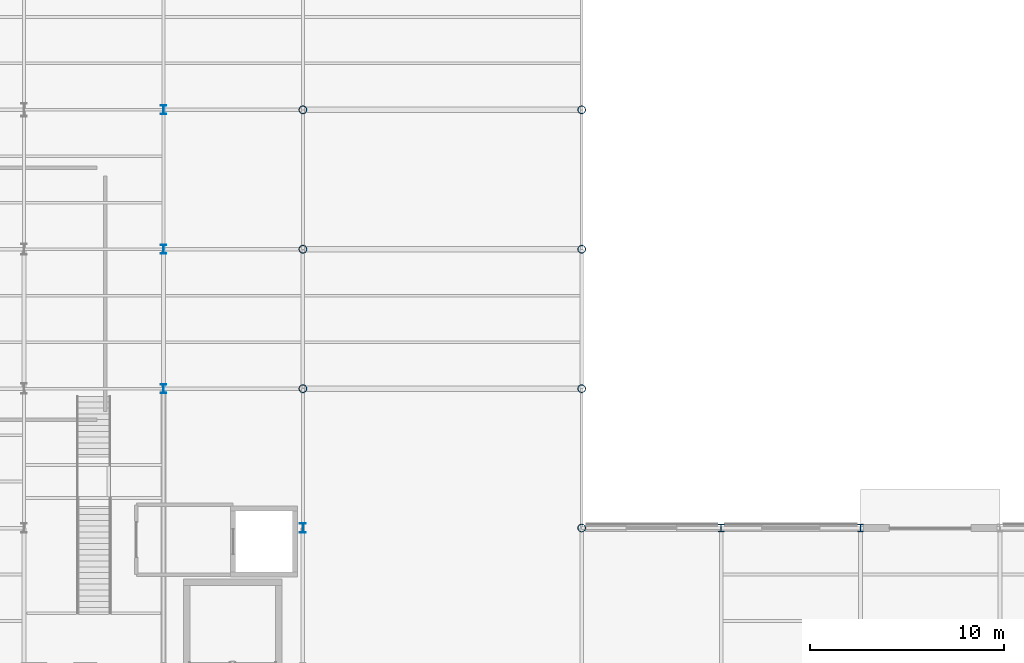
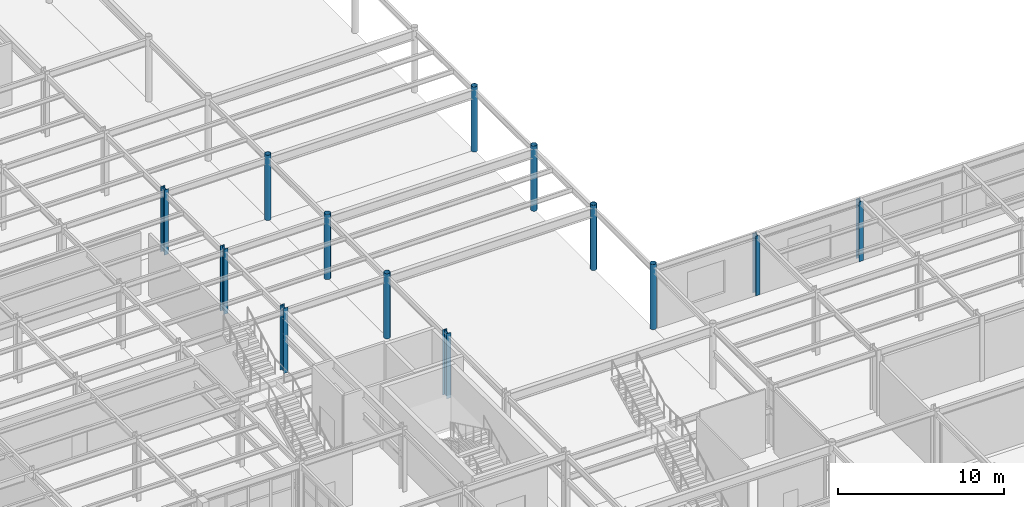
# One storey, part 12 of 83: 13 columns.
"""IFC4 building model written with IfcOpenShell, lengths in metres."""

from ifc_helpers import new_model, si_unit, direction, frame, origin, origin_2d, place, context, subcontext, project, spatial, hollow_circle, i_section, extrude, material, material_profile, profile_set, type_object, element, save


model = new_model("IFC4")

# Units and contexts
model_context = context("Model", 3, precision=1e-05, world=origin(), true_north=direction((0.0, 1.0)))
body_context = subcontext(model_context, "Body", "Model", "MODEL_VIEW")
ifc_project = project(units=[si_unit("LENGTHUNIT", "METRE"), si_unit("AREAUNIT", "SQUARE_METRE"), si_unit("VOLUMEUNIT", "CUBIC_METRE"), si_unit("PLANEANGLEUNIT", "RADIAN"), si_unit("MASSUNIT", "GRAM", prefix="KILO")], contexts=[model_context])

# Site, building, storey
site_placement = place(None, origin())
site = spatial("IfcSite", under=ifc_project, at=site_placement, CompositionType="ELEMENT")
building_placement = place(site_placement, origin())
building = spatial("IfcBuilding", under=site, at=building_placement, Name="Solvadek Multi-Sports Hall", CompositionType="ELEMENT")
storey_placement = place(building_placement, origin())
storey = spatial("IfcBuildingStorey", under=building, at=storey_placement, Name="L00", CompositionType="ELEMENT", Elevation=0.0)

# Columns
ifc_material = material(Name="Steel E350 (350 MPa)", Category="steel")
ifc_material_profile_1 = material_profile(ifc_material, hollow_circle(Radius=0.203125, WallThickness=0.01611328125, at=origin_2d()), Name="CHS 406.4x16")
ifc_profile_set_1 = profile_set([ifc_material_profile_1], Name="Steel E350 (350 MPa)")
column_type_1 = type_object("IfcColumnType", Name="STR-COL-CHS406", PredefinedType="COLUMN", material=ifc_profile_set_1)
for number, where, z_axis, x_axis, name in (
    (1, (72.0, 63.60009765625, 0.0), (0.0, 0.0, 1.0), (1.0, 0.0, 0.0), "L00 Column C-11 #153"),
    (2, (72.0, 70.800048828125, 0.0), (0.0, 0.0, 1.0), (1.0, 0.0, 0.0), "L00 Column C-11 #154"),
    (3, (72.0, 78.0, 0.0), (0.0, 0.0, 1.0), (1.0, 0.0, 0.0), "L00 Column C-11 #155"),
    (4, (86.39990234375, 56.39990234375, 0.0), (0.0, 0.0, 1.0), (1.0, 0.0, 0.0), "L00 Column C-11 #182"),
    (5, (86.39990234375, 63.60009765625, 0.0), (0.0, 0.0, 1.0), (1.0, 0.0, 0.0), "L00 Column C-11 #183"),
    (6, (86.39990234375, 70.800048828125, 0.0), (0.0, 0.0, 1.0), (1.0, 0.0, 0.0), "L00 Column C-11 #184"),
    (7, (86.39990234375, 78.0, 0.0), (0.0, 0.0, 1.0), (1.0, 0.0, 0.0), "L00 Column C-11 #185"),
):
    element("IfcColumn", number, at=place(storey_placement, frame(where, z_axis=z_axis, x_axis=x_axis)), inside=storey, type_object=column_type_1, Name=name, PredefinedType="COLUMN", context=body_context, shape_type="SweptSolid", body=[
        extrude(hollow_circle(Radius=0.203125, WallThickness=0.01611328125, at=origin_2d()), origin(), (0.0, 0.0, 1.0), 4.800048828125),
    ])
ifc_material_profile_2 = material_profile(ifc_material, i_section(OverallWidth=0.300048828125, OverallDepth=0.39990234375, WebThickness=0.013427734375, FlangeThickness=0.02392578125, at=origin_2d()), Name="WPB 400")
ifc_profile_set_2 = profile_set([ifc_material_profile_2], Name="Steel E350 (350 MPa)")
column_type_2 = type_object("IfcColumnType", Name="STR-COL-WPB400", PredefinedType="COLUMN", material=ifc_profile_set_2)
for number, where, z_axis, x_axis, name in (
    (8, (93.60009765625, 56.39990234375, 0.0), (0.0, 0.0, 1.0), (1.0, 0.0, 0.0), "L00 Column C-07 #197"),
    (9, (100.800048828125, 56.39990234375, 0.0), (0.0, 0.0, 1.0), (1.0, 0.0, 0.0), "L00 Column C-07 #205"),
):
    element("IfcColumn", number, at=place(storey_placement, frame(where, z_axis=z_axis, x_axis=x_axis)), inside=storey, type_object=column_type_2, Name=name, PredefinedType="COLUMN", context=body_context, shape_type="SweptSolid", body=[
        extrude(i_section(OverallWidth=0.300048828125, OverallDepth=0.39990234375, WebThickness=0.013427734375, FlangeThickness=0.02392578125, at=origin_2d()), origin(), (0.0, 0.0, 1.0), 4.39990234375),
    ])
ifc_material_profile_3 = material_profile(ifc_material, i_section(OverallWidth=0.300048828125, OverallDepth=0.449951171875, WebThickness=0.013916015625, FlangeThickness=0.02587890625, at=origin_2d()), Name="WPB 450")
ifc_profile_set_3 = profile_set([ifc_material_profile_3], Name="Steel E350 (350 MPa)")
column_type_3 = type_object("IfcColumnType", Name="STR-COL-WPB450", PredefinedType="COLUMN", material=ifc_profile_set_3)
for number, where, z_axis, x_axis, name in (
    (10, (64.800048828125, 63.60009765625, 0.0), (0.0, 0.0, 1.0), (1.0, 0.0, 0.0), "L00 Column C-06 #137"),
    (11, (64.800048828125, 70.800048828125, 0.0), (0.0, 0.0, 1.0), (1.0, 0.0, 0.0), "L00 Column C-06 #138"),
    (12, (64.800048828125, 78.0, 0.0), (0.0, 0.0, 1.0), (1.0, 0.0, 0.0), "L00 Column C-06 #139"),
):
    element("IfcColumn", number, at=place(storey_placement, frame(where, z_axis=z_axis, x_axis=x_axis)), inside=storey, type_object=column_type_3, Name=name, PredefinedType="COLUMN", context=body_context, shape_type="SweptSolid", body=[
        extrude(i_section(OverallWidth=0.300048828125, OverallDepth=0.449951171875, WebThickness=0.013916015625, FlangeThickness=0.02587890625, at=origin_2d()), origin(), (0.0, 0.0, 1.0), 4.800048828125),
    ])
ifc_material_profile_4 = material_profile(ifc_material, i_section(OverallWidth=0.300048828125, OverallDepth=0.5, WebThickness=0.014404296875, FlangeThickness=0.028076171875, at=origin_2d()), Name="WPB 500")
ifc_profile_set_4 = profile_set([ifc_material_profile_4], Name="Steel E350 (350 MPa)")
column_type_4 = type_object("IfcColumnType", Name="STR-COL-WPB500", PredefinedType="COLUMN", material=ifc_profile_set_4)
column_placement = place(storey_placement, frame((72.0, 56.39990234375, 0.0), z_axis=(0.0, 0.0, 1.0), x_axis=(1.0, 0.0, 0.0)))
element("IfcColumn", 13, at=column_placement, inside=storey, type_object=column_type_4, Name="L00 Column C-05 #152", PredefinedType="COLUMN", context=body_context, shape_type="SweptSolid", body=[
    extrude(i_section(OverallWidth=0.300048828125, OverallDepth=0.5, WebThickness=0.014404296875, FlangeThickness=0.028076171875, at=origin_2d()), origin(), (0.0, 0.0, 1.0), 4.800048828125),
])

save(model, "model.ifc")
